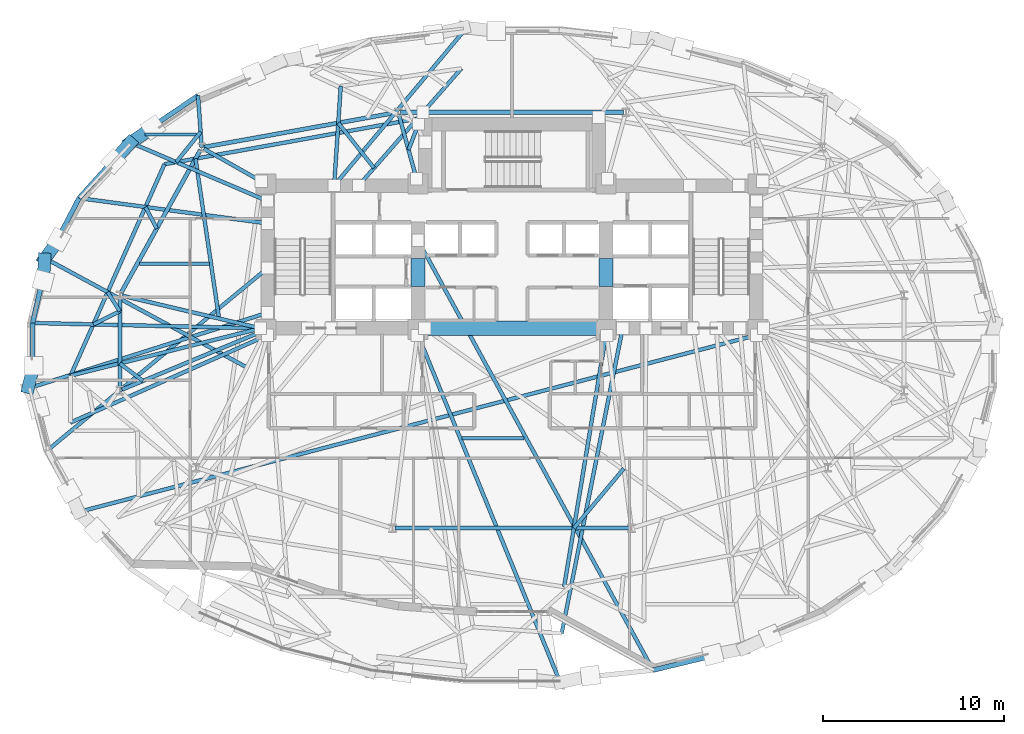
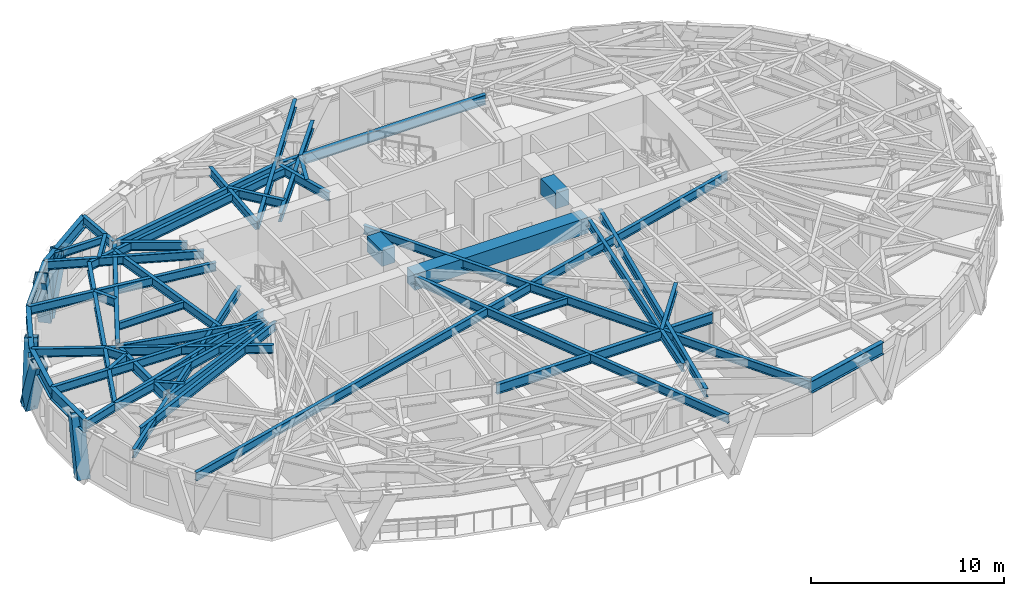
# One storey, part 3 of 15: 49 beams, 5 members.
"""IFC4 building model written with IfcOpenShell, lengths in metres."""

from ifc_helpers import new_model, si_unit, direction, frame, origin, origin_2d, place, context, subcontext, project, spatial, rectangle, hollow_rectangle, i_section, extrude, material, material_profile, profile_set, type_object, element, save


model = new_model("IFC4")

# Units and contexts
model_context = context("Model", 3, precision=1e-05, world=origin(), true_north=direction((0.0, 1.0)))
body_context = subcontext(model_context, "Body", "Model", "MODEL_VIEW")
ifc_project = project(units=[si_unit("LENGTHUNIT", "METRE"), si_unit("AREAUNIT", "SQUARE_METRE"), si_unit("VOLUMEUNIT", "CUBIC_METRE"), si_unit("PLANEANGLEUNIT", "RADIAN"), si_unit("MASSUNIT", "GRAM", prefix="KILO")], contexts=[model_context])

# Site, building, storey
site_placement = place(None, origin())
site = spatial("IfcSite", under=ifc_project, at=site_placement, CompositionType="ELEMENT")
building_placement = place(site_placement, origin())
building = spatial("IfcBuilding", under=site, at=building_placement, Name="Keldmark Tower", CompositionType="ELEMENT")
storey_placement = place(building_placement, frame((0.0, 0.0, 114.10009765625)))
storey = spatial("IfcBuildingStorey", under=building, at=storey_placement, Name="L30", CompositionType="ELEMENT", Elevation=114.10009765625)

# Beams
ifc_material_1 = material(Name="Steel ASTM A992 Grade 50", Category="steel")
ifc_material_profile_1 = material_profile(ifc_material_1, i_section(OverallWidth=0.19091796875, OverallDepth=0.45703125, WebThickness=0.009033203125, FlangeThickness=0.014404296875, at=origin_2d()), Name="W18X50")
ifc_profile_set_1 = profile_set([ifc_material_profile_1], Name="Steel ASTM A992 Grade 50")
beam_type_1 = type_object("IfcBeamType", Name="Composite Floor Joist W18X50", PredefinedType="JOIST", material=ifc_profile_set_1)
beam_1_placement = place(storey_placement, frame((-2.76220703125, -4.60009765625, 3.081298828125), z_axis=(1.0, 0.0, 0.0), x_axis=(0.0, 1.0, 0.0)))
element("IfcBeam", 1, at=beam_1_placement, inside=storey, type_object=beam_type_1, Name="L30 Composite Floor Joist J06", PredefinedType="JOIST", context=body_context, shape_type="SweptSolid", body=[
    extrude(i_section(OverallWidth=0.19091796875, OverallDepth=0.45703125, WebThickness=0.009033203125, FlangeThickness=0.014404296875, at=origin_2d()), origin(), (0.0, 0.0, 1.0), 3.4375),
])
beam_2_placement = place(storey_placement, frame((-20.6162109375, 5.0400390625, 3.081298828125), z_axis=(1.0, 0.0, 0.0), x_axis=(0.0, 1.0, 0.0)))
element("IfcBeam", 2, at=beam_2_placement, inside=storey, type_object=beam_type_1, Name="L30 Composite Floor Joist J09", PredefinedType="JOIST", context=body_context, shape_type="SweptSolid", body=[
    extrude(i_section(OverallWidth=0.19091796875, OverallDepth=0.45703125, WebThickness=0.009033203125, FlangeThickness=0.014404296875, at=origin_2d()), origin(), (0.0, 0.0, 1.0), 3.867431640625),
])
beam_3_placement = place(storey_placement, frame((-20.313720703125, 12.199951171875, 3.081298828125), z_axis=(1.0, 0.0, 0.0), x_axis=(0.0, 1.0, 0.0)))
element("IfcBeam", 3, at=beam_3_placement, inside=storey, type_object=beam_type_1, Name="L30 Composite Floor Joist J10", PredefinedType="JOIST", context=body_context, shape_type="SweptSolid", body=[
    extrude(i_section(OverallWidth=0.19091796875, OverallDepth=0.45703125, WebThickness=0.009033203125, FlangeThickness=0.014404296875, at=origin_2d()), origin(), (0.0, 0.0, 1.0), 2.848388671875),
])
ifc_material_2 = material(Name="Concrete C70/85", Category="concrete")
ifc_material_profile_2 = material_profile(ifc_material_2, rectangle(XDim=0.800048828125, YDim=1.0, at=origin_2d()), Name="RCB800X1000")
ifc_profile_set_2 = profile_set([ifc_material_profile_2], Name="Concrete C70/85")
beam_type_2 = type_object("IfcBeamType", Name="Core Coupling Beam RCB800X1000", PredefinedType="USERDEFINED", material=ifc_profile_set_2)
for number, where, z_axis, x_axis, name in (
    (4, (-5.199951171875, 3.800048828125, 2.809814453125), (0.0, 1.0, 0.0), (-1.0, 0.0, 0.0), "L30 West Core Coupling Beam"),
    (5, (5.199951171875, 3.800048828125, 2.809814453125), (0.0, 1.0, 0.0), (-1.0, 0.0, 0.0), "L30 East Core Coupling Beam"),
):
    element("IfcBeam", number, at=place(storey_placement, frame(where, z_axis=z_axis, x_axis=x_axis)), inside=storey, type_object=beam_type_2, Name=name, ObjectType="COUPLING BEAM", PredefinedType="USERDEFINED", context=body_context, shape_type="SweptSolid", body=[
        extrude(rectangle(XDim=0.800048828125, YDim=1.0, at=origin_2d()), origin(), (0.0, 0.0, 1.0), 1.550048828125),
    ])
beam_4_placement = place(storey_placement, frame((-5.199951171875, 1.47509765625, 2.809814453125), z_axis=(1.0, 0.0, 0.0), x_axis=(0.0, 1.0, 0.0)))
element("IfcBeam", 6, at=beam_4_placement, inside=storey, type_object=beam_type_2, Name="L30 Central South Core Coupling Beam", ObjectType="COUPLING BEAM", PredefinedType="USERDEFINED", context=body_context, shape_type="SweptSolid", body=[
    extrude(rectangle(XDim=0.800048828125, YDim=1.0, at=origin_2d()), origin(), (0.0, 0.0, 1.0), 10.39990234375),
])

# Members
ifc_material_3 = material(Name="Steel ASTM A572 Grade 50", Category="steel")
ifc_material_profile_3 = material_profile(ifc_material_3, hollow_rectangle(XDim=0.699951171875, YDim=0.699951171875, WallThickness=0.044921875, at=origin_2d()), Name="BOX700X700X45")
ifc_profile_set_3 = profile_set([ifc_material_profile_3], Name="Steel ASTM A572 Grade 50")
member_type = type_object("IfcMemberType", Name="Diagrid Zone 2 Brace BOX700X700X45", PredefinedType="BRACE", material=ifc_profile_set_3)
member_1_placement = place(storey_placement, frame((-21.13330078125, 11.73291015625, -0.27001953125), z_axis=(0.335907307818, 0.225830883089, 0.914421507182), x_axis=(-0.55793323686, 0.829885837454, 0.0)))
element("IfcMember", 7, at=member_1_placement, inside=storey, type_object=member_type, Name="L30 Perimeter Diagrid Brace 06B", PredefinedType="BRACE", context=body_context, shape_type="SweptSolid", body=[
    extrude(hollow_rectangle(XDim=0.699951171875, YDim=0.699951171875, WallThickness=0.044921875, at=origin_2d()), origin(), (0.0, 0.0, 1.0), 3.78369140625),
])
member_2_placement = place(storey_placement, frame((-21.125, 11.7412109375, -0.27001953125), z_axis=(-0.247510772336, -0.277770094066, 0.928214518535), x_axis=(0.74660260832, -0.665270279849, 0.0)))
element("IfcMember", 8, at=member_2_placement, inside=storey, type_object=member_type, Name="L30 Perimeter Diagrid Brace 07A", PredefinedType="BRACE", context=body_context, shape_type="SweptSolid", body=[
    extrude(hollow_rectangle(XDim=0.699951171875, YDim=0.699951171875, WallThickness=0.044921875, at=origin_2d()), origin(), (0.0, 0.0, 1.0), 3.7275390625),
])
member_3_placement = place(storey_placement, frame((-25.86474609375, 5.3017578125, -0.27001953125), z_axis=(0.212816971164, 0.293313872494, 0.932027847753), x_axis=(-0.809394785299, 0.587264915971, 0.0)))
element("IfcMember", 9, at=member_3_placement, inside=storey, type_object=member_type, Name="L30 Perimeter Diagrid Brace 07B", PredefinedType="BRACE", context=body_context, shape_type="SweptSolid", body=[
    extrude(hollow_rectangle(XDim=0.699951171875, YDim=0.699951171875, WallThickness=0.044921875, at=origin_2d()), origin(), (0.0, 0.0, 1.0), 3.71240234375),
])
member_4_placement = place(storey_placement, frame((-25.860107421875, 5.3125, -0.27001953125), z_axis=(-0.018307233902, -0.330994788946, 0.943454977663), x_axis=(0.998473917149, -0.055225327276, 0.0)))
element("IfcMember", 10, at=member_4_placement, inside=storey, type_object=member_type, Name="L30 Perimeter Diagrid Brace 08A", PredefinedType="BRACE", context=body_context, shape_type="SweptSolid", body=[
    extrude(hollow_rectangle(XDim=0.699951171875, YDim=0.699951171875, WallThickness=0.044921875, at=origin_2d()), origin(), (0.0, 0.0, 1.0), 3.667236328125),
])
member_5_placement = place(storey_placement, frame((-26.7607421875, -1.796630859375, -0.27001953125), z_axis=(0.08125964191, 0.326699639631, 0.94162849153), x_axis=(-0.970432044654, 0.241374494735, 0.0)))
element("IfcMember", 11, at=member_5_placement, inside=storey, type_object=member_type, Name="L30 Perimeter Diagrid Brace 08B", PredefinedType="BRACE", context=body_context, shape_type="SweptSolid", body=[
    extrude(hollow_rectangle(XDim=0.699951171875, YDim=0.699951171875, WallThickness=0.044921875, at=origin_2d()), origin(), (0.0, 0.0, 1.0), 3.674560546875),
])

# Beams
ifc_material_4 = material(Name="Steel ASTM A992 Grade 50", Category="steel")
ifc_material_profile_4 = material_profile(ifc_material_4, i_section(OverallWidth=0.22900390625, OverallDepth=0.612060546875, WebThickness=0.011962890625, FlangeThickness=0.01953125, at=origin_2d()), Name="W24X84")
ifc_profile_set_4 = profile_set([ifc_material_profile_4], Name="Steel ASTM A992 Grade 50")
beam_type_3 = type_object("IfcBeamType", Name="Primary Floor Girder W24X84", PredefinedType="BEAM", material=ifc_profile_set_4)
beam_5_placement = place(storey_placement, frame((6.15869140625, 13.4326171875, 3.00390625), z_axis=(-1.0, 0.0, 0.0), x_axis=(0.0, -1.0, 0.0)))
element("IfcBeam", 12, at=beam_5_placement, inside=storey, type_object=beam_type_3, Name="L30 Floor Ring Girder FG-R03", PredefinedType="BEAM", context=body_context, shape_type="SweptSolid", body=[
    extrude(i_section(OverallWidth=0.22900390625, OverallDepth=0.612060546875, WebThickness=0.011962890625, FlangeThickness=0.01953125, at=origin_2d()), origin(), (0.0, 0.0, 1.0), 12.3173828125),
])
beam_6_placement = place(storey_placement, frame((-6.4365234375, 13.40771484375, 3.00390625), z_axis=(-0.984218266992, -0.176958760505, 0.0), x_axis=(0.176958760505, -0.984218266992, 0.0)))
element("IfcBeam", 13, at=beam_6_placement, inside=storey, type_object=beam_type_3, Name="L30 Floor Ring Girder FG-R04", PredefinedType="BEAM", context=body_context, shape_type="SweptSolid", body=[
    extrude(i_section(OverallWidth=0.22900390625, OverallDepth=0.612060546875, WebThickness=0.011962890625, FlangeThickness=0.01953125, at=origin_2d()), origin(), (0.0, 0.0, 1.0), 10.7626953125),
])
beam_7_placement = place(storey_placement, frame((-17.235107421875, 11.35595703125, 3.00390625), z_axis=(-0.484951836703, -0.874540860154, 0.0), x_axis=(0.874540860154, -0.484951836703, 0.0)))
element("IfcBeam", 14, at=beam_7_placement, inside=storey, type_object=beam_type_3, Name="L30 Floor Ring Girder FG-R05", PredefinedType="BEAM", context=body_context, shape_type="SweptSolid", body=[
    extrude(i_section(OverallWidth=0.22900390625, OverallDepth=0.612060546875, WebThickness=0.011962890625, FlangeThickness=0.01953125, at=origin_2d()), origin(), (0.0, 0.0, 1.0), 9.060302734375),
])
beam_8_placement = place(storey_placement, frame((-21.697021484375, 3.169921875, 3.00390625), z_axis=(0.0, -1.0, 0.0), x_axis=(1.0, 0.0, 0.0)))
element("IfcBeam", 15, at=beam_8_placement, inside=storey, type_object=beam_type_3, Name="L30 Floor Ring Girder FG-R06", PredefinedType="BEAM", context=body_context, shape_type="SweptSolid", body=[
    extrude(i_section(OverallWidth=0.22900390625, OverallDepth=0.612060546875, WebThickness=0.011962890625, FlangeThickness=0.01953125, at=origin_2d()), origin(), (0.0, 0.0, 1.0), 4.995849609375),
])
beam_9_placement = place(storey_placement, frame((-6.472900390625, -9.579345703125, 3.00390625), z_axis=(1.0, 0.0, 0.0), x_axis=(0.0, 1.0, 0.0)))
element("IfcBeam", 16, at=beam_9_placement, inside=storey, type_object=beam_type_3, Name="L30 Floor Ring Girder FG-R09", PredefinedType="BEAM", context=body_context, shape_type="SweptSolid", body=[
    extrude(i_section(OverallWidth=0.22900390625, OverallDepth=0.612060546875, WebThickness=0.011962890625, FlangeThickness=0.01953125, at=origin_2d()), origin(), (0.0, 0.0, 1.0), 12.94580078125),
])
ifc_material_5 = material(Name="Steel ASTM A992 Grade 50", Category="steel")
ifc_material_profile_5 = material_profile(ifc_material_5, i_section(OverallWidth=0.2099609375, OverallDepth=0.537109375, WebThickness=0.010986328125, FlangeThickness=0.017333984375, at=origin_2d()), Name="W21X68")
ifc_profile_set_5 = profile_set([ifc_material_profile_5], Name="Steel ASTM A992 Grade 50")
beam_type_4 = type_object("IfcBeamType", Name="Radial Tie Girder W21X68", PredefinedType="BEAM", material=ifc_profile_set_5)
beam_10_placement = place(storey_placement, frame((-6.26171875, 13.297607421875, 3.04150390625), z_axis=(0.265997186795, -0.963973804944, 0.0), x_axis=(0.963973804944, 0.265997186795, 0.0)))
element("IfcBeam", 17, at=beam_10_placement, inside=storey, type_object=beam_type_4, Name="L30 Floor Radial Girder FG-C04", PredefinedType="BEAM", context=body_context, shape_type="SweptSolid", body=[
    extrude(i_section(OverallWidth=0.2099609375, OverallDepth=0.537109375, WebThickness=0.010986328125, FlangeThickness=0.017333984375, at=origin_2d()), origin(), (0.0, 0.0, 1.0), 3.67138671875),
])
beam_11_placement = place(storey_placement, frame((-17.04541015625, 11.4091796875, 3.04150390625), z_axis=(0.86928447329, -0.494312152892, 0.0), x_axis=(0.494312152892, 0.86928447329, 0.0)))
element("IfcBeam", 18, at=beam_11_placement, inside=storey, type_object=beam_type_4, Name="L30 Floor Radial Girder FG-C05", PredefinedType="BEAM", context=body_context, shape_type="SweptSolid", body=[
    extrude(i_section(OverallWidth=0.2099609375, OverallDepth=0.537109375, WebThickness=0.010986328125, FlangeThickness=0.017333984375, at=origin_2d()), origin(), (0.0, 0.0, 1.0), 3.6435546875),
])
beam_12_placement = place(storey_placement, frame((-21.560546875, 3.27783203125, 3.04150390625), z_axis=(0.973283778272, -0.229605502879, 0.0), x_axis=(0.229605502879, 0.973283778272, 0.0)))
element("IfcBeam", 19, at=beam_12_placement, inside=storey, type_object=beam_type_4, Name="L30 Floor Radial Girder FG-C06", PredefinedType="BEAM", context=body_context, shape_type="SweptSolid", body=[
    extrude(i_section(OverallWidth=0.2099609375, OverallDepth=0.537109375, WebThickness=0.010986328125, FlangeThickness=0.017333984375, at=origin_2d()), origin(), (0.0, 0.0, 1.0), 7.85888671875),
])
beam_13_placement = place(storey_placement, frame((-21.567626953125, -1.912109375, 3.04150390625), z_axis=(0.923397393633, 0.383845350932, 0.0), x_axis=(-0.383845350932, 0.923397393633, 0.0)))
element("IfcBeam", 20, at=beam_13_placement, inside=storey, type_object=beam_type_4, Name="L30 Floor Radial Girder FG-C07", PredefinedType="BEAM", context=body_context, shape_type="SweptSolid", body=[
    extrude(i_section(OverallWidth=0.2099609375, OverallDepth=0.537109375, WebThickness=0.010986328125, FlangeThickness=0.017333984375, at=origin_2d()), origin(), (0.0, 0.0, 1.0), 8.30859375),
])
beam_14_placement = place(storey_placement, frame((-5.724609375, 11.35107421875, 3.04150390625), z_axis=(0.359624359129, 0.933097165531, 0.0), x_axis=(-0.933097165531, 0.359624359129, 0.0)))
element("IfcBeam", 21, at=beam_14_placement, inside=storey, type_object=beam_type_4, Name="L30 Framing Pin Header PH-002", PredefinedType="BEAM", context=body_context, shape_type="SweptSolid", body=[
    extrude(i_section(OverallWidth=0.2099609375, OverallDepth=0.537109375, WebThickness=0.010986328125, FlangeThickness=0.017333984375, at=origin_2d()), origin(), (0.0, 0.0, 1.0), 2.230712890625),
])
beam_15_placement = place(storey_placement, frame((-8.485595703125, 9.375, 3.04150390625), z_axis=(0.65986555711, 0.751383687965, 0.0), x_axis=(-0.751383687965, 0.65986555711, 0.0)))
element("IfcBeam", 22, at=beam_15_placement, inside=storey, type_object=beam_type_4, Name="L30 Sub-Ring Step Girder STP1-M04", PredefinedType="BEAM", context=body_context, shape_type="SweptSolid", body=[
    extrude(i_section(OverallWidth=0.2099609375, OverallDepth=0.537109375, WebThickness=0.010986328125, FlangeThickness=0.017333984375, at=origin_2d()), origin(), (0.0, 0.0, 1.0), 8.61669921875),
])
beam_16_placement = place(storey_placement, frame((-7.6328125, 10.34619140625, 3.04150390625), z_axis=(-0.621675802639, 0.78327466218, 0.0), x_axis=(-0.78327466218, -0.621675802639, 0.0)))
element("IfcBeam", 23, at=beam_16_placement, inside=storey, type_object=beam_type_4, Name="L30 Framing Pin Header PH-003", PredefinedType="BEAM", context=body_context, shape_type="SweptSolid", body=[
    extrude(i_section(OverallWidth=0.2099609375, OverallDepth=0.537109375, WebThickness=0.010986328125, FlangeThickness=0.017333984375, at=origin_2d()), origin(), (0.0, 0.0, 1.0), 3.18017578125),
])
beam_17_placement = place(storey_placement, frame((-9.83935546875, 9.375, 3.04150390625), z_axis=(0.066175043105, 0.997808029468, 0.0), x_axis=(-0.997808029468, 0.066175043105, 0.0)))
element("IfcBeam", 24, at=beam_17_placement, inside=storey, type_object=beam_type_4, Name="L30 Sub-Ring Step Girder STP1-M05", PredefinedType="BEAM", context=body_context, shape_type="SweptSolid", body=[
    extrude(i_section(OverallWidth=0.2099609375, OverallDepth=0.537109375, WebThickness=0.010986328125, FlangeThickness=0.017333984375, at=origin_2d()), origin(), (0.0, 0.0, 1.0), 5.51171875),
])
beam_18_placement = place(storey_placement, frame((-16.206298828125, 2.014892578125, 3.04150390625), z_axis=(-0.145681840173, 0.989331492193, 0.0), x_axis=(-0.989331492193, -0.145681840173, 0.0)))
element("IfcBeam", 25, at=beam_18_placement, inside=storey, type_object=beam_type_4, Name="L30 Framing Pin Header PH-004", PredefinedType="BEAM", context=body_context, shape_type="SweptSolid", body=[
    extrude(i_section(OverallWidth=0.2099609375, OverallDepth=0.537109375, WebThickness=0.010986328125, FlangeThickness=0.017333984375, at=origin_2d()), origin(), (0.0, 0.0, 1.0), 8.9423828125),
])
beam_19_placement = place(storey_placement, frame((-4.800048828125, 13.14990234375, 3.04150390625), z_axis=(-0.984176993777, -0.17718816247, 0.0), x_axis=(0.17718816247, -0.984176993777, 0.0)))
element("IfcBeam", 26, at=beam_19_placement, inside=storey, type_object=beam_type_4, Name="L30 Sub-Ring Step Girder STP1-M06", PredefinedType="BEAM", context=body_context, shape_type="SweptSolid", body=[
    extrude(i_section(OverallWidth=0.2099609375, OverallDepth=0.537109375, WebThickness=0.010986328125, FlangeThickness=0.017333984375, at=origin_2d()), origin(), (0.0, 0.0, 1.0), 14.660400390625),
])
beam_20_placement = place(storey_placement, frame((-20.416748046875, -1.433837890625, 3.04150390625), z_axis=(-0.797584371586, 0.60320740231, 0.0), x_axis=(-0.60320740231, -0.797584371586, 0.0)))
element("IfcBeam", 27, at=beam_20_placement, inside=storey, type_object=beam_type_4, Name="L30 Framing Pin Header PH-005", PredefinedType="BEAM", context=body_context, shape_type="SweptSolid", body=[
    extrude(i_section(OverallWidth=0.2099609375, OverallDepth=0.537109375, WebThickness=0.010986328125, FlangeThickness=0.017333984375, at=origin_2d()), origin(), (0.0, 0.0, 1.0), 1.605224609375),
])
beam_21_placement = place(storey_placement, frame((-13.89990234375, 1.47509765625, 3.04150390625), z_axis=(-0.970393627103, -0.241528897813, 0.0), x_axis=(0.241528897813, -0.970393627103, 0.0)))
element("IfcBeam", 28, at=beam_21_placement, inside=storey, type_object=beam_type_4, Name="L30 Sub-Ring Step Girder STP1-M07", PredefinedType="BEAM", context=body_context, shape_type="SweptSolid", body=[
    extrude(i_section(OverallWidth=0.2099609375, OverallDepth=0.537109375, WebThickness=0.010986328125, FlangeThickness=0.017333984375, at=origin_2d()), origin(), (0.0, 0.0, 1.0), 10.843017578125),
])
beam_22_placement = place(storey_placement, frame((-19.228515625, 10.55224609375, 3.04150390625), z_axis=(-0.405819824901, -0.913953100392, 0.0), x_axis=(0.913953100392, -0.405819824901, 0.0)))
element("IfcBeam", 29, at=beam_22_placement, inside=storey, type_object=beam_type_4, Name="L30 Perimeter Collector Ring Beam CRG1-M06", PredefinedType="BEAM", context=body_context, shape_type="SweptSolid", body=[
    extrude(i_section(OverallWidth=0.2099609375, OverallDepth=0.537109375, WebThickness=0.010986328125, FlangeThickness=0.017333984375, at=origin_2d()), origin(), (0.0, 0.0, 1.0), 12.797119140625),
])
beam_23_placement = place(storey_placement, frame((6.188720703125, -6.283447265625, 3.04150390625), z_axis=(-0.642792770256, -0.766040112858, 0.0), x_axis=(0.766040112858, -0.642792770256, 0.0)))
element("IfcBeam", 30, at=beam_23_placement, inside=storey, type_object=beam_type_4, Name="L30 Framing Pin Header PH-011", PredefinedType="BEAM", context=body_context, shape_type="SweptSolid", body=[
    extrude(i_section(OverallWidth=0.2099609375, OverallDepth=0.537109375, WebThickness=0.010986328125, FlangeThickness=0.017333984375, at=origin_2d()), origin(), (0.0, 0.0, 1.0), 4.302490234375),
])
beam_24_placement = place(storey_placement, frame((5.199951171875, 1.10009765625, 3.04150390625), z_axis=(-0.164127025537, -0.986439212262, 0.0), x_axis=(0.986439212262, -0.164127025537, 0.0)))
element("IfcBeam", 31, at=beam_24_placement, inside=storey, type_object=beam_type_4, Name="L30 Sub-Ring Step Girder STP2-M10", PredefinedType="BEAM", context=body_context, shape_type="SweptSolid", body=[
    extrude(i_section(OverallWidth=0.2099609375, OverallDepth=0.537109375, WebThickness=0.010986328125, FlangeThickness=0.017333984375, at=origin_2d()), origin(), (0.0, 0.0, 1.0), 14.120849609375),
])
beam_25_placement = place(storey_placement, frame((-9.83935546875, 9.375, 3.04150390625), z_axis=(0.643100882061, 0.76578146719, 0.0), x_axis=(-0.76578146719, 0.643100882061, 0.0)))
element("IfcBeam", 32, at=beam_25_placement, inside=storey, type_object=beam_type_4, Name="L30 Perimeter Radial Tie Girder RT-09", PredefinedType="BEAM", context=body_context, shape_type="SweptSolid", body=[
    extrude(i_section(OverallWidth=0.2099609375, OverallDepth=0.537109375, WebThickness=0.010986328125, FlangeThickness=0.017333984375, at=origin_2d()), origin(), (0.0, 0.0, 1.0), 11.23779296875),
])
beam_26_placement = place(storey_placement, frame((-17.1669921875, 11.478271484375, 3.04150390625), z_axis=(-0.070571902233, 0.997506695023, 0.0), x_axis=(-0.997506695023, -0.070571902233, 0.0)))
element("IfcBeam", 33, at=beam_26_placement, inside=storey, type_object=beam_type_4, Name="L30 Perimeter Column Bracket RT-12", PredefinedType="BEAM", context=body_context, shape_type="SweptSolid", body=[
    extrude(i_section(OverallWidth=0.2099609375, OverallDepth=0.537109375, WebThickness=0.010986328125, FlangeThickness=0.017333984375, at=origin_2d()), origin(), (0.0, 0.0, 1.0), 2.878173828125),
])
beam_27_placement = place(storey_placement, frame((-17.22802734375, 12.339599609375, 3.04150390625), z_axis=(-0.627785825189, -0.778386123779, 0.0), x_axis=(0.778386123779, -0.627785825189, 0.0)))
element("IfcBeam", 34, at=beam_27_placement, inside=storey, type_object=beam_type_4, Name="L30 Framing Pin Header PH-023", PredefinedType="BEAM", context=body_context, shape_type="SweptSolid", body=[
    extrude(i_section(OverallWidth=0.2099609375, OverallDepth=0.537109375, WebThickness=0.010986328125, FlangeThickness=0.017333984375, at=origin_2d()), origin(), (0.0, 0.0, 1.0), 2.144775390625),
])
beam_28_placement = place(storey_placement, frame((-13.52490234375, 8.514404296875, 3.04150390625), z_axis=(-0.919698944383, 0.392624313691, 0.0), x_axis=(-0.392624313691, -0.919698944383, 0.0)))
element("IfcBeam", 35, at=beam_28_placement, inside=storey, type_object=beam_type_4, Name="L30 Perimeter Radial Tie Girder RT-13", PredefinedType="BEAM", context=body_context, shape_type="SweptSolid", body=[
    extrude(i_section(OverallWidth=0.2099609375, OverallDepth=0.537109375, WebThickness=0.010986328125, FlangeThickness=0.017333984375, at=origin_2d()), origin(), (0.0, 0.0, 1.0), 8.307373046875),
])
beam_29_placement = place(storey_placement, frame((-19.651611328125, 6.997802734375, 3.04150390625), z_axis=(-0.467086194433, 0.884211788527, 0.0), x_axis=(-0.884211788527, -0.467086194433, 0.0)))
element("IfcBeam", 36, at=beam_29_placement, inside=storey, type_object=beam_type_4, Name="L30 Framing Pin Header PH-024", PredefinedType="BEAM", context=body_context, shape_type="SweptSolid", body=[
    extrude(i_section(OverallWidth=0.2099609375, OverallDepth=0.537109375, WebThickness=0.010986328125, FlangeThickness=0.017333984375, at=origin_2d()), origin(), (0.0, 0.0, 1.0), 1.34375),
])
beam_30_placement = place(storey_placement, frame((-13.52490234375, 7.278564453125, 3.04150390625), z_axis=(-0.991096680832, 0.133144167145, 0.0), x_axis=(-0.133144167145, -0.991096680832, 0.0)))
element("IfcBeam", 37, at=beam_30_placement, inside=storey, type_object=beam_type_4, Name="L30 Perimeter Radial Tie Girder RT-14", PredefinedType="BEAM", context=body_context, shape_type="SweptSolid", body=[
    extrude(i_section(OverallWidth=0.2099609375, OverallDepth=0.537109375, WebThickness=0.010986328125, FlangeThickness=0.017333984375, at=origin_2d()), origin(), (0.0, 0.0, 1.0), 10.519775390625),
])
beam_31_placement = place(storey_placement, frame((-21.697021484375, 2.42041015625, 3.04150390625), z_axis=(-0.536320932813, 0.844014133192, 0.0), x_axis=(-0.844014133192, -0.536320932813, 0.0)))
element("IfcBeam", 38, at=beam_31_placement, inside=storey, type_object=beam_type_4, Name="L30 Framing Pin Header PH-025", PredefinedType="BEAM", context=body_context, shape_type="SweptSolid", body=[
    extrude(i_section(OverallWidth=0.2099609375, OverallDepth=0.537109375, WebThickness=0.010986328125, FlangeThickness=0.017333984375, at=origin_2d()), origin(), (0.0, 0.0, 1.0), 1.253662109375),
])
beam_32_placement = place(storey_placement, frame((-14.662109375, -0.690185546875, 3.04150390625), z_axis=(-0.879576897221, 0.475756746537, 0.0), x_axis=(-0.475756746537, -0.879576897221, 0.0)))
element("IfcBeam", 39, at=beam_32_placement, inside=storey, type_object=beam_type_4, Name="L30 Perimeter Radial Tie Girder RT-15", PredefinedType="BEAM", context=body_context, shape_type="SweptSolid", body=[
    extrude(i_section(OverallWidth=0.2099609375, OverallDepth=0.537109375, WebThickness=0.010986328125, FlangeThickness=0.017333984375, at=origin_2d()), origin(), (0.0, 0.0, 1.0), 12.5673828125),
])
beam_33_placement = place(storey_placement, frame((-21.697021484375, 2.42041015625, 3.04150390625), z_axis=(-0.89552839903, -0.445004366868, 0.0), x_axis=(0.445004366868, -0.89552839903, 0.0)))
element("IfcBeam", 40, at=beam_33_placement, inside=storey, type_object=beam_type_4, Name="L30 Framing Pin Header PH-026", PredefinedType="BEAM", context=body_context, shape_type="SweptSolid", body=[
    extrude(i_section(OverallWidth=0.2099609375, OverallDepth=0.537109375, WebThickness=0.010986328125, FlangeThickness=0.017333984375, at=origin_2d()), origin(), (0.0, 0.0, 1.0), 1.636474609375),
])
beam_34_placement = place(storey_placement, frame((-13.89990234375, 1.47509765625, 3.04150390625), z_axis=(-0.99972532749, 0.023436500908, 0.0), x_axis=(-0.023436500908, -0.99972532749, 0.0)))
element("IfcBeam", 41, at=beam_34_placement, inside=storey, type_object=beam_type_4, Name="L30 Perimeter Radial Tie Girder RT-16", PredefinedType="BEAM", context=body_context, shape_type="SweptSolid", body=[
    extrude(i_section(OverallWidth=0.2099609375, OverallDepth=0.537109375, WebThickness=0.010986328125, FlangeThickness=0.017333984375, at=origin_2d()), origin(), (0.0, 0.0, 1.0), 12.62548828125),
])
beam_35_placement = place(storey_placement, frame((-13.52490234375, 2.335693359375, 3.04150390625), z_axis=(-0.953533113806, -0.301288235542, 0.0), x_axis=(0.301288235542, -0.953533113806, 0.0)))
element("IfcBeam", 42, at=beam_35_placement, inside=storey, type_object=beam_type_4, Name="L30 Perimeter Radial Tie Girder RT-17", PredefinedType="BEAM", context=body_context, shape_type="SweptSolid", body=[
    extrude(i_section(OverallWidth=0.2099609375, OverallDepth=0.537109375, WebThickness=0.010986328125, FlangeThickness=0.017333984375, at=origin_2d()), origin(), (0.0, 0.0, 1.0), 13.63037109375),
])
beam_36_placement = place(storey_placement, frame((-13.52490234375, 1.10009765625, 3.04150390625), z_axis=(-0.91395319921, -0.405819602353, 0.0), x_axis=(0.405819602353, -0.91395319921, 0.0)))
element("IfcBeam", 43, at=beam_36_placement, inside=storey, type_object=beam_type_4, Name="L30 Intermediate Radial Step Girder RT-18M", PredefinedType="BEAM", context=body_context, shape_type="SweptSolid", body=[
    extrude(i_section(OverallWidth=0.2099609375, OverallDepth=0.537109375, WebThickness=0.010986328125, FlangeThickness=0.017333984375, at=origin_2d()), origin(), (0.0, 0.0, 1.0), 11.935791015625),
])
beam_37_placement = place(storey_placement, frame((-13.52490234375, 4.80712890625, 3.04150390625), z_axis=(-0.770186075446, -0.637819260597, 0.0), x_axis=(0.637819260597, -0.770186075446, 0.0)))
element("IfcBeam", 44, at=beam_37_placement, inside=storey, type_object=beam_type_4, Name="L30 Perimeter Radial Tie Girder RT-18", PredefinedType="BEAM", context=body_context, shape_type="SweptSolid", body=[
    extrude(i_section(OverallWidth=0.2099609375, OverallDepth=0.537109375, WebThickness=0.010986328125, FlangeThickness=0.017333984375, at=origin_2d()), origin(), (0.0, 0.0, 1.0), 15.828857421875),
])
beam_38_placement = place(storey_placement, frame((13.52490234375, 1.10009765625, 3.04150390625), z_axis=(-0.967598392567, -0.252494258752, 0.0), x_axis=(0.252494258752, -0.967598392567, 0.0)))
element("IfcBeam", 45, at=beam_38_placement, inside=storey, type_object=beam_type_4, Name="L30 Perimeter Radial Tie Girder RT-19", PredefinedType="BEAM", context=body_context, shape_type="SweptSolid", body=[
    extrude(i_section(OverallWidth=0.2099609375, OverallDepth=0.537109375, WebThickness=0.010986328125, FlangeThickness=0.017333984375, at=origin_2d()), origin(), (0.0, 0.0, 1.0), 38.730712890625),
])
beam_39_placement = place(storey_placement, frame((6.121337890625, 1.47509765625, 3.04150390625), z_axis=(-0.196004309073, -0.980603034273, 0.0), x_axis=(0.980603034273, -0.196004309073, 0.0)))
element("IfcBeam", 46, at=beam_39_placement, inside=storey, type_object=beam_type_4, Name="L30 Intermediate Radial Step Girder RT-25M", PredefinedType="BEAM", context=body_context, shape_type="SweptSolid", body=[
    extrude(i_section(OverallWidth=0.2099609375, OverallDepth=0.537109375, WebThickness=0.010986328125, FlangeThickness=0.017333984375, at=origin_2d()), origin(), (0.0, 0.0, 1.0), 17.214111328125),
])
beam_40_placement = place(storey_placement, frame((-5.199951171875, 1.10009765625, 3.04150390625), z_axis=(0.378901631976, -0.925436952626, 0.0), x_axis=(0.925436952626, 0.378901631976, 0.0)))
element("IfcBeam", 47, at=beam_40_placement, inside=storey, type_object=beam_type_4, Name="L30 Perimeter Radial Tie Girder RT-25", PredefinedType="BEAM", context=body_context, shape_type="SweptSolid", body=[
    extrude(i_section(OverallWidth=0.2099609375, OverallDepth=0.537109375, WebThickness=0.010986328125, FlangeThickness=0.017333984375, at=origin_2d()), origin(), (0.0, 0.0, 1.0), 20.6181640625),
])
beam_41_placement = place(storey_placement, frame((-5.199951171875, 6.35009765625, 3.04150390625), z_axis=(0.479631304911, -0.877470119918, 0.0), x_axis=(0.877470119918, 0.479631304911, 0.0)))
element("IfcBeam", 48, at=beam_41_placement, inside=storey, type_object=beam_type_4, Name="L30 Perimeter Radial Tie Girder RT-26", PredefinedType="BEAM", context=body_context, shape_type="SweptSolid", body=[
    extrude(i_section(OverallWidth=0.2099609375, OverallDepth=0.537109375, WebThickness=0.010986328125, FlangeThickness=0.017333984375, at=origin_2d()), origin(), (0.0, 0.0, 1.0), 27.105712890625),
])
ifc_material_6 = material(Name="Steel ASTM A992 Grade 50", Category="steel")
ifc_material_profile_6 = material_profile(ifc_material_6, i_section(OverallWidth=0.26806640625, OverallDepth=0.77001953125, WebThickness=0.015625, FlangeThickness=0.025390625, at=origin_2d()), Name="W30X132")
ifc_profile_set_6 = profile_set([ifc_material_profile_6], Name="Steel ASTM A992 Grade 50")
beam_type_5 = type_object("IfcBeamType", Name="Spandrel Ring Beam W30X132", PredefinedType="SPANDREL", material=ifc_profile_set_6)
beam_42_placement = place(storey_placement, frame((-17.3701171875, 14.349365234375, 2.9248046875), z_axis=(-0.827683347515, -0.561195399345, 0.0), x_axis=(0.561195399345, -0.827683347515, 0.0)))
element("IfcBeam", 49, at=beam_42_placement, inside=storey, type_object=beam_type_5, Name="L30 Perimeter Spandrel Ring Beam SRB-12", PredefinedType="SPANDREL", context=body_context, shape_type="SweptSolid", body=[
    extrude(i_section(OverallWidth=0.26806640625, OverallDepth=0.77001953125, WebThickness=0.015625, FlangeThickness=0.025390625, at=origin_2d()), origin(), (0.0, 0.0, 1.0), 4.585205078125),
])
beam_43_placement = place(storey_placement, frame((-21.165283203125, 11.776123046875, 2.9248046875), z_axis=(-0.668754222456, -0.743483550556, 0.0), x_axis=(0.743483550556, -0.668754222456, 0.0)))
element("IfcBeam", 50, at=beam_43_placement, inside=storey, type_object=beam_type_5, Name="L30 Perimeter Spandrel Ring Beam SRB-13", PredefinedType="SPANDREL", context=body_context, shape_type="SweptSolid", body=[
    extrude(i_section(OverallWidth=0.26806640625, OverallDepth=0.77001953125, WebThickness=0.015625, FlangeThickness=0.025390625, at=origin_2d()), origin(), (0.0, 0.0, 1.0), 4.16552734375),
])
beam_44_placement = place(storey_placement, frame((-23.950927734375, 8.67919921875, 2.9248046875), z_axis=(-0.461793105614, -0.886987670493, 0.0), x_axis=(0.886987670493, -0.461793105614, 0.0)))
element("IfcBeam", 51, at=beam_44_placement, inside=storey, type_object=beam_type_5, Name="L30 Perimeter Spandrel Ring Beam SRB-14", PredefinedType="SPANDREL", context=body_context, shape_type="SweptSolid", body=[
    extrude(i_section(OverallWidth=0.26806640625, OverallDepth=0.77001953125, WebThickness=0.015625, FlangeThickness=0.025390625, at=origin_2d()), origin(), (0.0, 0.0, 1.0), 3.822265625),
])
beam_45_placement = place(storey_placement, frame((-25.716064453125, 5.288818359375, 2.9248046875), z_axis=(-0.223307865615, -0.974747965966, 0.0), x_axis=(0.974747965966, -0.223307865615, 0.0)))
element("IfcBeam", 52, at=beam_45_placement, inside=storey, type_object=beam_type_5, Name="L30 Perimeter Spandrel Ring Beam SRB-15", PredefinedType="SPANDREL", context=body_context, shape_type="SweptSolid", body=[
    extrude(i_section(OverallWidth=0.26806640625, OverallDepth=0.77001953125, WebThickness=0.015625, FlangeThickness=0.025390625, at=origin_2d()), origin(), (0.0, 0.0, 1.0), 3.60888671875),
])
beam_46_placement = place(storey_placement, frame((-26.52197265625, 1.77099609375, 2.9248046875), z_axis=(0.0, -1.0, 0.0), x_axis=(1.0, 0.0, 0.0)))
element("IfcBeam", 53, at=beam_46_placement, inside=storey, type_object=beam_type_5, Name="L30 Perimeter Spandrel Ring Beam SRB-16", PredefinedType="SPANDREL", context=body_context, shape_type="SweptSolid", body=[
    extrude(i_section(OverallWidth=0.26806640625, OverallDepth=0.77001953125, WebThickness=0.015625, FlangeThickness=0.025390625, at=origin_2d()), origin(), (0.0, 0.0, 1.0), 3.5419921875),
])
beam_47_placement = place(storey_placement, frame((7.80078125, -17.434326171875, 2.9248046875), z_axis=(0.972552972063, 0.232681577549, 0.0), x_axis=(-0.232681577549, 0.972552972063, 0.0)))
element("IfcBeam", 54, at=beam_47_placement, inside=storey, type_object=beam_type_5, Name="L30 Perimeter Spandrel Ring Beam SRB-26", PredefinedType="SPANDREL", context=body_context, shape_type="SweptSolid", body=[
    extrude(i_section(OverallWidth=0.26806640625, OverallDepth=0.77001953125, WebThickness=0.015625, FlangeThickness=0.025390625, at=origin_2d()), origin(), (0.0, 0.0, 1.0), 5.142333984375),
])

save(model, "model.ifc")
